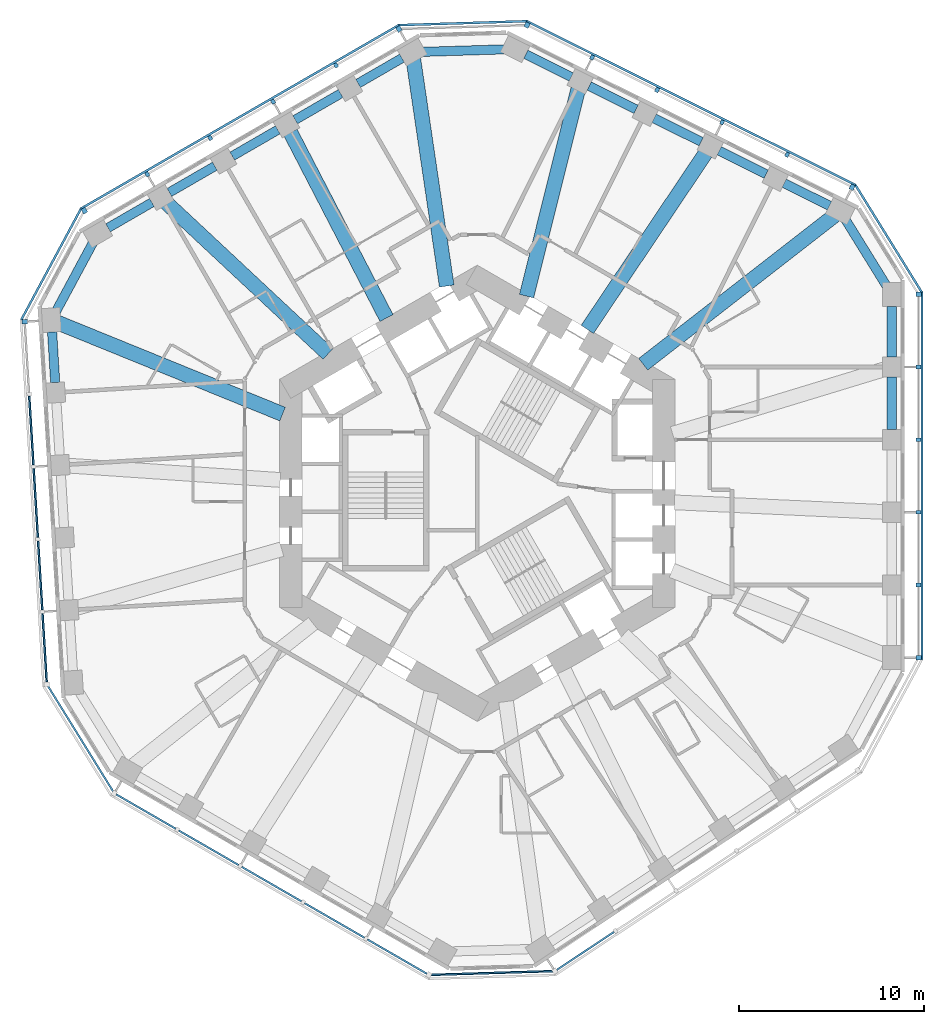
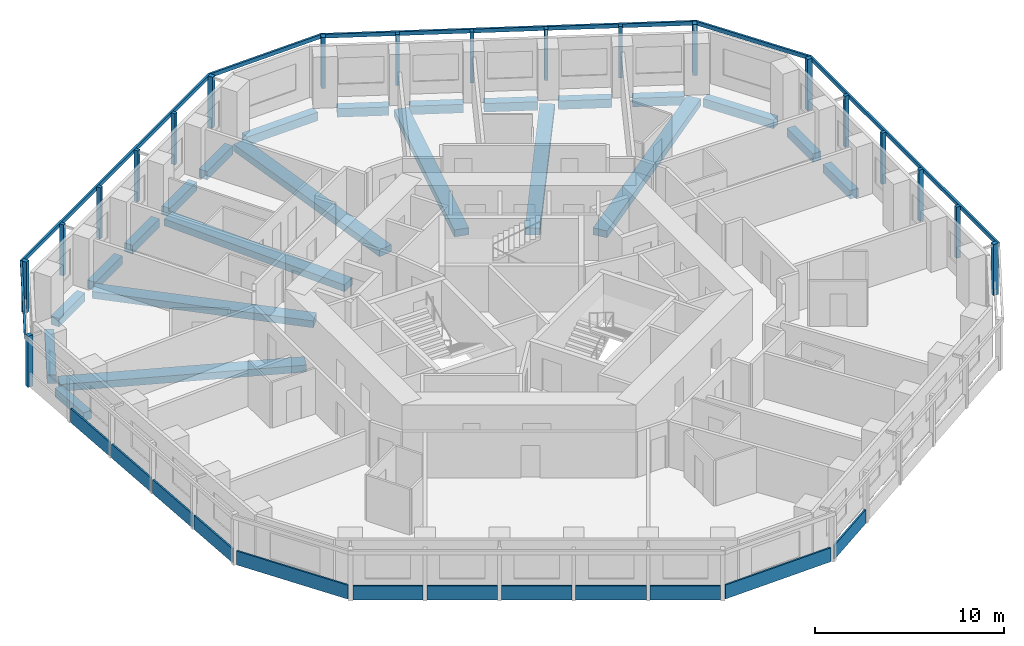
# One storey, part 2 of 12: 25 members, 23 beams, 12 plates, 11 elements without a shape of their own.
"""IFC4 building model written with IfcOpenShell, lengths in metres."""

from ifc_helpers import new_model, si_unit, direction, frame, origin, origin_2d, place, context, subcontext, project, spatial, rectangle, extrude, material, layer, layer_set, material_profile, profile_set, type_object, element, aggregate, save


model = new_model("IFC4")

# Units and contexts
model_context = context("Model", 3, precision=1e-05, world=origin(), true_north=direction((0.0, 1.0)))
body_context = subcontext(model_context, "Body", "Model", "MODEL_VIEW")
ifc_project = project(units=[si_unit("LENGTHUNIT", "METRE"), si_unit("AREAUNIT", "SQUARE_METRE"), si_unit("VOLUMEUNIT", "CUBIC_METRE"), si_unit("PLANEANGLEUNIT", "RADIAN"), si_unit("MASSUNIT", "GRAM", prefix="KILO")], contexts=[model_context])

# Site, building, storey
site_placement = place(None, origin())
site = spatial("IfcSite", under=ifc_project, at=site_placement, CompositionType="ELEMENT")
building_placement = place(site_placement, origin())
building = spatial("IfcBuilding", under=site, at=building_placement, Name="Vanh Sen Convention Tower", CompositionType="ELEMENT")
storey_placement = place(building_placement, frame((0.0, 0.0, 116.60009765625)))
storey = spatial("IfcBuildingStorey", under=building, at=storey_placement, Name="L28", CompositionType="ELEMENT", Elevation=116.60009765625)

# Curtain wall, members
ifc_material_1 = material(Name="Concrete C50/60", Category="concrete")
curtain_wall_type = type_object("IfcCurtainWallType", Name="Outer skin hotel zone", PredefinedType="NOTDEFINED", material=ifc_material_1)
curtain_wall_1_placement = place(storey_placement, origin())
curtain_wall_1 = element("IfcCurtainWall", 1, at=curtain_wall_1_placement, inside=storey, type_object=curtain_wall_type, Name="OUTER SKIN E L28", PredefinedType="NOTDEFINED")
ifc_material_profile_1 = material_profile(ifc_material_1, rectangle(XDim=0.25, YDim=0.300048828125, at=origin_2d()), Name="Outer skin precast corner fin 250 x 300")
ifc_profile_set_1 = profile_set([ifc_material_profile_1], Name="Concrete C50/60")
member_type_1 = type_object("IfcMemberType", Name="Outer skin precast corner fin 250 x 300", PredefinedType="MULLION", material=ifc_profile_set_1)
member_1_placement = place(storey_placement, frame((23.89990234375, -8.899169921875, 0.0), z_axis=(0.0, 0.0, 1.0), x_axis=(0.0, 1.0, 0.0)))
member_1 = element("IfcMember", 2, at=member_1_placement, type_object=member_type_1, Name="OUTER SKIN CORNER FIN 1 E L28", PredefinedType="MULLION", context=body_context, shape_type="SweptSolid", body=[
    extrude(rectangle(XDim=0.25, YDim=0.300048828125, at=origin_2d()), origin(), (0.0, 0.0, 1.0), 3.2998046875),
])
member_2_placement = place(storey_placement, frame((23.89990234375, 10.773681640625, 0.0), z_axis=(0.0, 0.0, 1.0), x_axis=(0.0, 1.0, 0.0)))
member_2 = element("IfcMember", 3, at=member_2_placement, type_object=member_type_1, Name="OUTER SKIN CORNER FIN 6 E L28", PredefinedType="MULLION", context=body_context, shape_type="SweptSolid", body=[
    extrude(rectangle(XDim=0.25, YDim=0.300048828125, at=origin_2d()), origin(), (0.0, 0.0, 1.0), 3.2998046875),
])

curtain_wall_2_placement = place(storey_placement, origin())
curtain_wall_2 = element("IfcCurtainWall", 4, at=curtain_wall_2_placement, inside=storey, type_object=curtain_wall_type, Name="OUTER SKIN NE L28", PredefinedType="NOTDEFINED")
member_3_placement = place(storey_placement, frame((20.305908203125, 16.581787109375, 0.0), z_axis=(0.0, 0.0, 1.0), x_axis=(-0.894934361602, 0.44619781311, 0.0)))
member_3 = element("IfcMember", 5, at=member_3_placement, type_object=member_type_1, Name="OUTER SKIN CORNER FIN 1 NE L28", PredefinedType="MULLION", context=body_context, shape_type="SweptSolid", body=[
    extrude(rectangle(XDim=0.25, YDim=0.300048828125, at=origin_2d()), origin(), (0.0, 0.0, 1.0), 3.2998046875),
])
member_4_placement = place(storey_placement, frame((2.699951171875, 25.35986328125, 0.0), z_axis=(0.0, 0.0, 1.0), x_axis=(-0.894934361602, 0.44619781311, 0.0)))
member_4 = element("IfcMember", 6, at=member_4_placement, type_object=member_type_1, Name="OUTER SKIN CORNER FIN 6 NE L28", PredefinedType="MULLION", context=body_context, shape_type="SweptSolid", body=[
    extrude(rectangle(XDim=0.25, YDim=0.300048828125, at=origin_2d()), origin(), (0.0, 0.0, 1.0), 3.2998046875),
])

curtain_wall_3_placement = place(storey_placement, origin())
curtain_wall_3 = element("IfcCurtainWall", 7, at=curtain_wall_3_placement, inside=storey, type_object=curtain_wall_type, Name="OUTER SKIN NW L28", PredefinedType="NOTDEFINED")
member_5_placement = place(storey_placement, frame((-4.242919921875, 25.147705078125, 0.0), z_axis=(0.0, 0.0, 1.0), x_axis=(-0.866025403784, -0.5, 0.0)))
member_5 = element("IfcMember", 8, at=member_5_placement, type_object=member_type_1, Name="OUTER SKIN CORNER FIN 1 NW L28", PredefinedType="MULLION", context=body_context, shape_type="SweptSolid", body=[
    extrude(rectangle(XDim=0.25, YDim=0.300048828125, at=origin_2d()), origin(), (0.0, 0.0, 1.0), 3.2998046875),
])
member_6_placement = place(storey_placement, frame((-21.2802734375, 15.31103515625, 0.0), z_axis=(0.0, 0.0, 1.0), x_axis=(-0.866025403784, -0.5, 0.0)))
member_6 = element("IfcMember", 9, at=member_6_placement, type_object=member_type_1, Name="OUTER SKIN CORNER FIN 6 NW L28", PredefinedType="MULLION", context=body_context, shape_type="SweptSolid", body=[
    extrude(rectangle(XDim=0.25, YDim=0.300048828125, at=origin_2d()), origin(), (0.0, 0.0, 1.0), 3.2998046875),
])

# Curtain wall, member
curtain_wall_4_placement = place(storey_placement, origin())
curtain_wall_4 = element("IfcCurtainWall", 10, at=curtain_wall_4_placement, inside=storey, type_object=curtain_wall_type, Name="OUTER SKIN W L28", PredefinedType="NOTDEFINED")
member_7_placement = place(storey_placement, frame((-24.51318359375, 9.294677734375, 0.0), z_axis=(0.0, 0.0, 1.0), x_axis=(0.061048539535, -0.998134798422, 0.0)))
member_7 = element("IfcMember", 11, at=member_7_placement, type_object=member_type_1, Name="OUTER SKIN CORNER FIN 1 W L28", PredefinedType="MULLION", context=body_context, shape_type="SweptSolid", body=[
    extrude(rectangle(XDim=0.25, YDim=0.300048828125, at=origin_2d()), origin(), (0.0, 0.0, 1.0), 3.2998046875),
])

# Member
ifc_material_profile_2 = material_profile(ifc_material_1, rectangle(XDim=0.199951171875, YDim=0.25, at=origin_2d()), Name="Outer skin precast fin 200 x 250")
ifc_profile_set_2 = profile_set([ifc_material_profile_2], Name="Concrete C50/60")
member_type_2 = type_object("IfcMemberType", Name="Outer skin precast fin 200 x 250", PredefinedType="MULLION", material=ifc_profile_set_2)
member_8_placement = place(storey_placement, frame((23.89990234375, -4.964599609375, 0.0), z_axis=(0.0, 0.0, 1.0), x_axis=(0.0, 1.0, 0.0)))
member_8 = element("IfcMember", 12, at=member_8_placement, type_object=member_type_2, Name="OUTER SKIN fin 2 E L28", PredefinedType="MULLION", context=body_context, shape_type="SweptSolid", body=[
    extrude(rectangle(XDim=0.199951171875, YDim=0.25, at=origin_2d()), origin(), (0.0, 0.0, 1.0), 3.2998046875),
])

member_9_placement = place(storey_placement, frame((23.89990234375, -1.030029296875, 0.0), z_axis=(0.0, 0.0, 1.0), x_axis=(0.0, 1.0, 0.0)))
member_9 = element("IfcMember", 13, at=member_9_placement, type_object=member_type_2, Name="OUTER SKIN fin 3 E L28", PredefinedType="MULLION", context=body_context, shape_type="SweptSolid", body=[
    extrude(rectangle(XDim=0.199951171875, YDim=0.25, at=origin_2d()), origin(), (0.0, 0.0, 1.0), 3.2998046875),
])

member_10_placement = place(storey_placement, frame((23.89990234375, 2.904541015625, 0.0), z_axis=(0.0, 0.0, 1.0), x_axis=(0.0, 1.0, 0.0)))
member_10 = element("IfcMember", 14, at=member_10_placement, type_object=member_type_2, Name="OUTER SKIN fin 4 E L28", PredefinedType="MULLION", context=body_context, shape_type="SweptSolid", body=[
    extrude(rectangle(XDim=0.199951171875, YDim=0.25, at=origin_2d()), origin(), (0.0, 0.0, 1.0), 3.2998046875),
])

member_11_placement = place(storey_placement, frame((23.89990234375, 6.839111328125, 0.0), z_axis=(0.0, 0.0, 1.0), x_axis=(0.0, 1.0, 0.0)))
member_11 = element("IfcMember", 15, at=member_11_placement, type_object=member_type_2, Name="OUTER SKIN fin 5 E L28", PredefinedType="MULLION", context=body_context, shape_type="SweptSolid", body=[
    extrude(rectangle(XDim=0.199951171875, YDim=0.25, at=origin_2d()), origin(), (0.0, 0.0, 1.0), 3.2998046875),
])

member_12_placement = place(storey_placement, frame((16.78466796875, 18.33740234375, 0.0), z_axis=(0.0, 0.0, 1.0), x_axis=(-0.894934361602, 0.44619781311, 0.0)))
member_12 = element("IfcMember", 16, at=member_12_placement, type_object=member_type_2, Name="OUTER SKIN fin 2 NE L28", PredefinedType="MULLION", context=body_context, shape_type="SweptSolid", body=[
    extrude(rectangle(XDim=0.199951171875, YDim=0.25, at=origin_2d()), origin(), (0.0, 0.0, 1.0), 3.2998046875),
])

member_13_placement = place(storey_placement, frame((13.263427734375, 20.093017578125, 0.0), z_axis=(0.0, 0.0, 1.0), x_axis=(-0.894934361602, 0.44619781311, 0.0)))
member_13 = element("IfcMember", 17, at=member_13_placement, type_object=member_type_2, Name="OUTER SKIN fin 3 NE L28", PredefinedType="MULLION", context=body_context, shape_type="SweptSolid", body=[
    extrude(rectangle(XDim=0.199951171875, YDim=0.25, at=origin_2d()), origin(), (0.0, 0.0, 1.0), 3.2998046875),
])

member_14_placement = place(storey_placement, frame((9.7421875, 21.8486328125, 0.0), z_axis=(0.0, 0.0, 1.0), x_axis=(-0.894934361602, 0.44619781311, 0.0)))
member_14 = element("IfcMember", 18, at=member_14_placement, type_object=member_type_2, Name="OUTER SKIN fin 4 NE L28", PredefinedType="MULLION", context=body_context, shape_type="SweptSolid", body=[
    extrude(rectangle(XDim=0.199951171875, YDim=0.25, at=origin_2d()), origin(), (0.0, 0.0, 1.0), 3.2998046875),
])

member_15_placement = place(storey_placement, frame((6.22119140625, 23.604248046875, 0.0), z_axis=(0.0, 0.0, 1.0), x_axis=(-0.894934361602, 0.44619781311, 0.0)))
member_15 = element("IfcMember", 19, at=member_15_placement, type_object=member_type_2, Name="OUTER SKIN fin 5 NE L28", PredefinedType="MULLION", context=body_context, shape_type="SweptSolid", body=[
    extrude(rectangle(XDim=0.199951171875, YDim=0.25, at=origin_2d()), origin(), (0.0, 0.0, 1.0), 3.2998046875),
])

member_16_placement = place(storey_placement, frame((-7.650390625, 23.180419921875, 0.0), z_axis=(0.0, 0.0, 1.0), x_axis=(-0.866025403784, -0.5, 0.0)))
member_16 = element("IfcMember", 20, at=member_16_placement, type_object=member_type_2, Name="OUTER SKIN fin 2 NW L28", PredefinedType="MULLION", context=body_context, shape_type="SweptSolid", body=[
    extrude(rectangle(XDim=0.199951171875, YDim=0.25, at=origin_2d()), origin(), (0.0, 0.0, 1.0), 3.2998046875),
])

member_17_placement = place(storey_placement, frame((-11.057861328125, 21.212890625, 0.0), z_axis=(0.0, 0.0, 1.0), x_axis=(-0.866025403784, -0.5, 0.0)))
member_17 = element("IfcMember", 21, at=member_17_placement, type_object=member_type_2, Name="OUTER SKIN fin 3 NW L28", PredefinedType="MULLION", context=body_context, shape_type="SweptSolid", body=[
    extrude(rectangle(XDim=0.199951171875, YDim=0.25, at=origin_2d()), origin(), (0.0, 0.0, 1.0), 3.2998046875),
])

member_18_placement = place(storey_placement, frame((-14.46533203125, 19.24560546875, 0.0), z_axis=(0.0, 0.0, 1.0), x_axis=(-0.866025403784, -0.5, 0.0)))
member_18 = element("IfcMember", 22, at=member_18_placement, type_object=member_type_2, Name="OUTER SKIN fin 4 NW L28", PredefinedType="MULLION", context=body_context, shape_type="SweptSolid", body=[
    extrude(rectangle(XDim=0.199951171875, YDim=0.25, at=origin_2d()), origin(), (0.0, 0.0, 1.0), 3.2998046875),
])

member_19_placement = place(storey_placement, frame((-17.872802734375, 17.2783203125, 0.0), z_axis=(0.0, 0.0, 1.0), x_axis=(-0.866025403784, -0.5, 0.0)))
member_19 = element("IfcMember", 23, at=member_19_placement, type_object=member_type_2, Name="OUTER SKIN fin 5 NW L28", PredefinedType="MULLION", context=body_context, shape_type="SweptSolid", body=[
    extrude(rectangle(XDim=0.199951171875, YDim=0.25, at=origin_2d()), origin(), (0.0, 0.0, 1.0), 3.2998046875),
])

ifc_material_profile_3 = material_profile(ifc_material_1, rectangle(XDim=0.1201171875, YDim=0.25, at=origin_2d()), Name="Outer skin precast spandrel band 250 x 120")
ifc_profile_set_3 = profile_set([ifc_material_profile_3], Name="Concrete C50/60")
member_type_3 = type_object("IfcMemberType", Name="Outer skin precast spandrel band 250 x 120", PredefinedType="USERDEFINED", material=ifc_profile_set_3)
member_20_placement = place(storey_placement, frame((24.0849609375, -9.024169921875, 3.1748046875), z_axis=(0.0, 1.0, 0.0), x_axis=(-1.0, 0.0, 0.0)))
member_20 = element("IfcMember", 24, at=member_20_placement, type_object=member_type_3, Name="OUTER SKIN spandrel band E L28", ObjectType="TRANSOM", PredefinedType="USERDEFINED", context=body_context, shape_type="SweptSolid", body=[
    extrude(rectangle(XDim=0.1201171875, YDim=0.25, at=origin_2d()), origin(), (0.0, 0.0, 1.0), 19.9228515625),
])

aggregate(curtain_wall_1, [member_1, member_8, member_9, member_10, member_11, member_2, member_20])

# Curtain wall, member
curtain_wall_5_placement = place(storey_placement, origin())
curtain_wall_5 = element("IfcCurtainWall", 25, at=curtain_wall_5_placement, inside=storey, type_object=curtain_wall_type, Name="OUTER SKIN CH1 L28", PredefinedType="NOTDEFINED")
member_21_placement = place(storey_placement, frame((24.07861328125, 10.88427734375, 3.1748046875), z_axis=(-0.526195864379, 0.850363400148, 0.0), x_axis=(-0.850363400148, -0.526195864379, 0.0)))
member_21 = element("IfcMember", 26, at=member_21_placement, type_object=member_type_3, Name="OUTER SKIN spandrel band CH1 L28", ObjectType="TRANSOM", PredefinedType="USERDEFINED", context=body_context, shape_type="SweptSolid", body=[
    extrude(rectangle(XDim=0.1201171875, YDim=0.25, at=origin_2d()), origin(), (0.0, 0.0, 1.0), 6.830078125),
])
aggregate(curtain_wall_5, [member_21])

# Member
member_22_placement = place(storey_placement, frame((20.500244140625, 16.69140625, 3.1748046875), z_axis=(-0.894931498167, 0.446203556227, 0.0), x_axis=(-0.446203556227, -0.894931498167, 0.0)))
member_22 = element("IfcMember", 27, at=member_22_placement, type_object=member_type_3, Name="OUTER SKIN spandrel band NE L28", ObjectType="TRANSOM", PredefinedType="USERDEFINED", context=body_context, shape_type="SweptSolid", body=[
    extrude(rectangle(XDim=0.1201171875, YDim=0.25, at=origin_2d()), origin(), (0.0, 0.0, 1.0), 19.9228515625),
])

aggregate(curtain_wall_2, [member_3, member_12, member_13, member_14, member_15, member_4, member_22])

# Curtain wall, member
curtain_wall_6_placement = place(storey_placement, origin())
curtain_wall_6 = element("IfcCurtainWall", 28, at=curtain_wall_6_placement, inside=storey, type_object=curtain_wall_type, Name="OUTER SKIN CH2 L28", PredefinedType="NOTDEFINED")
member_23_placement = place(storey_placement, frame((2.693603515625, 25.569580078125, 3.1748046875), z_axis=(-0.999533472857, -0.030542374483, 0.0), x_axis=(0.030542374483, -0.999533472857, 0.0)))
member_23 = element("IfcMember", 29, at=member_23_placement, type_object=member_type_3, Name="OUTER SKIN spandrel band CH2 L28", ObjectType="TRANSOM", PredefinedType="USERDEFINED", context=body_context, shape_type="SweptSolid", body=[
    extrude(rectangle(XDim=0.1201171875, YDim=0.25, at=origin_2d()), origin(), (0.0, 0.0, 1.0), 6.9462890625),
])
aggregate(curtain_wall_6, [member_23])

# Member
member_24_placement = place(storey_placement, frame((-4.227294921875, 25.370361328125, 3.1748046875), z_axis=(-0.866028047459, -0.499995420993, 0.0), x_axis=(0.499995420993, -0.866028047459, 0.0)))
member_24 = element("IfcMember", 30, at=member_24_placement, type_object=member_type_3, Name="OUTER SKIN spandrel band NW L28", ObjectType="TRANSOM", PredefinedType="USERDEFINED", context=body_context, shape_type="SweptSolid", body=[
    extrude(rectangle(XDim=0.1201171875, YDim=0.25, at=origin_2d()), origin(), (0.0, 0.0, 1.0), 19.923095703125),
])

aggregate(curtain_wall_3, [member_5, member_16, member_17, member_18, member_19, member_6, member_24])

# Curtain wall, member
curtain_wall_7_placement = place(storey_placement, origin())
curtain_wall_7 = element("IfcCurtainWall", 31, at=curtain_wall_7_placement, inside=storey, type_object=curtain_wall_type, Name="OUTER SKIN CH3 L28", PredefinedType="NOTDEFINED")
member_25_placement = place(storey_placement, frame((-21.46533203125, 15.410400390625, 3.1748046875), z_axis=(-0.473315186561, -0.880893145717, 0.0), x_axis=(0.880893145717, -0.473315186561, 0.0)))
member_25 = element("IfcMember", 32, at=member_25_placement, type_object=member_type_3, Name="OUTER SKIN spandrel band CH3 L28", ObjectType="TRANSOM", PredefinedType="USERDEFINED", context=body_context, shape_type="SweptSolid", body=[
    extrude(rectangle(XDim=0.1201171875, YDim=0.25, at=origin_2d()), origin(), (0.0, 0.0, 1.0), 6.829833984375),
])
aggregate(curtain_wall_7, [member_25])

# Beams
ifc_material_2 = material(Name="Concrete C50/60", Category="concrete")
ifc_material_profile_4 = material_profile(ifc_material_2, rectangle(XDim=0.800048828125, YDim=0.449951171875, at=origin_2d()), Name="RC 800X450")
ifc_profile_set_4 = profile_set([ifc_material_profile_4], Name="Concrete C50/60")
beam_type_1 = type_object("IfcBeamType", Name="Radial floor beam 800 x 450", PredefinedType="BEAM", material=ifc_profile_set_4)
beam_1_placement = place(storey_placement, frame((19.376708984375, 15.064697265625, -0.47509765625), z_axis=(-0.789479064473, -0.613777489616, 0.0), x_axis=(0.613777489616, -0.789479064473, 0.0)))
element("IfcBeam", 33, at=beam_1_placement, inside=storey, type_object=beam_type_1, Name="Radial beam 04 L28", PredefinedType="BEAM", context=body_context, shape_type="SweptSolid", body=[
    extrude(rectangle(XDim=0.800048828125, YDim=0.449951171875, at=origin_2d()), origin(), (0.0, 0.0, 1.0), 13.16015625),
])
beam_2_placement = place(storey_placement, frame((12.3671875, 18.423828125, -0.47509765625), z_axis=(-0.557338631, -0.830285282536, 0.0), x_axis=(0.830285282536, -0.557338631, 0.0)))
element("IfcBeam", 34, at=beam_2_placement, inside=storey, type_object=beam_type_1, Name="Radial beam 05 L28", PredefinedType="BEAM", context=body_context, shape_type="SweptSolid", body=[
    extrude(rectangle(XDim=0.800048828125, YDim=0.449951171875, at=origin_2d()), origin(), (0.0, 0.0, 1.0), 11.497314453125),
])
beam_3_placement = place(storey_placement, frame((5.47265625, 21.900390625, -0.47509765625), z_axis=(-0.242436270236, -0.97016733344, 0.0), x_axis=(0.97016733344, -0.242436270236, 0.0)))
element("IfcBeam", 35, at=beam_3_placement, inside=storey, type_object=beam_type_1, Name="Radial beam 06 L28", PredefinedType="BEAM", context=body_context, shape_type="SweptSolid", body=[
    extrude(rectangle(XDim=0.800048828125, YDim=0.449951171875, at=origin_2d()), origin(), (0.0, 0.0, 1.0), 11.563720703125),
])
beam_4_placement = place(storey_placement, frame((-3.46337890625, 23.521484375, -0.47509765625), z_axis=(0.145674386683, -0.989332589711, 0.0), x_axis=(0.989332589711, 0.145674386683, 0.0)))
element("IfcBeam", 36, at=beam_4_placement, inside=storey, type_object=beam_type_1, Name="Radial beam 07 L28", PredefinedType="BEAM", context=body_context, shape_type="SweptSolid", body=[
    extrude(rectangle(XDim=0.800048828125, YDim=0.449951171875, at=origin_2d()), origin(), (0.0, 0.0, 1.0), 12.4287109375),
])
beam_5_placement = place(storey_placement, frame((-10.113525390625, 19.53369140625, -0.47509765625), z_axis=(0.459777032111, -0.888034391644, 0.0), x_axis=(0.888034391644, 0.459777032111, 0.0)))
element("IfcBeam", 37, at=beam_5_placement, inside=storey, type_object=beam_type_1, Name="Radial beam 08 L28", PredefinedType="BEAM", context=body_context, shape_type="SweptSolid", body=[
    extrude(rectangle(XDim=0.800048828125, YDim=0.449951171875, at=origin_2d()), origin(), (0.0, 0.0, 1.0), 11.30859375),
])
beam_6_placement = place(storey_placement, frame((-16.858642578125, 15.75244140625, -0.47509765625), z_axis=(0.730678761729, -0.6827214272, 0.0), x_axis=(0.6827214272, 0.730678761729, 0.0)))
element("IfcBeam", 38, at=beam_6_placement, inside=storey, type_object=beam_type_1, Name="Radial beam 09 L28", PredefinedType="BEAM", context=body_context, shape_type="SweptSolid", body=[
    extrude(rectangle(XDim=0.800048828125, YDim=0.449951171875, at=origin_2d()), origin(), (0.0, 0.0, 1.0), 12.01416015625),
])
beam_7_placement = place(storey_placement, frame((-22.734619140625, 9.248291015625, -0.47509765625), z_axis=(0.926292218259, -0.376805953236, 0.0), x_axis=(0.376805953236, 0.926292218259, 0.0)))
element("IfcBeam", 39, at=beam_7_placement, inside=storey, type_object=beam_type_1, Name="Radial beam 10 L28", PredefinedType="BEAM", context=body_context, shape_type="SweptSolid", body=[
    extrude(rectangle(XDim=0.800048828125, YDim=0.449951171875, at=origin_2d()), origin(), (0.0, 0.0, 1.0), 13.159912109375),
])
ifc_material_profile_5 = material_profile(ifc_material_2, rectangle(XDim=0.5, YDim=0.550048828125, at=origin_2d()), Name="RC 500X550")
ifc_profile_set_5 = profile_set([ifc_material_profile_5], Name="Concrete C50/60")
beam_type_2 = type_object("IfcBeamType", Name="Spandrel beam 500 x 550", PredefinedType="SPANDREL", material=ifc_profile_set_5)
beam_8_placement = place(storey_placement, frame((22.449951171875, 3.449462890625, -0.525146484375), z_axis=(0.0, 1.0, 0.0), x_axis=(-1.0, 0.0, 0.0)))
element("IfcBeam", 40, at=beam_8_placement, inside=storey, type_object=beam_type_2, Name="Spandrel beam 04 L28", PredefinedType="SPANDREL", context=body_context, shape_type="SweptSolid", body=[
    extrude(rectangle(XDim=0.5, YDim=0.550048828125, at=origin_2d()), origin(), (0.0, 0.0, 1.0), 2.8447265625),
])
beam_9_placement = place(storey_placement, frame((22.449951171875, 7.384033203125, -0.525146484375), z_axis=(0.0, 1.0, 0.0), x_axis=(-1.0, 0.0, 0.0)))
element("IfcBeam", 41, at=beam_9_placement, inside=storey, type_object=beam_type_2, Name="Spandrel beam 05 L28", PredefinedType="SPANDREL", context=body_context, shape_type="SweptSolid", body=[
    extrude(rectangle(XDim=0.5, YDim=0.550048828125, at=origin_2d()), origin(), (0.0, 0.0, 1.0), 2.74462890625),
])
beam_10_placement = place(storey_placement, frame((22.165283203125, 11.23388671875, -0.525146484375), z_axis=(-0.526225208879, 0.850345241381, 0.0), x_axis=(-0.850345241381, -0.526225208879, 0.0)))
element("IfcBeam", 42, at=beam_10_placement, inside=storey, type_object=beam_type_2, Name="Spandrel beam 06 L28", PredefinedType="SPANDREL", context=body_context, shape_type="SweptSolid", body=[
    extrude(rectangle(XDim=0.5, YDim=0.550048828125, at=origin_2d()), origin(), (0.0, 0.0, 1.0), 4.221923828125),
])
beam_11_placement = place(storey_placement, frame((19.081787109375, 15.572021484375, -0.525146484375), z_axis=(-0.894978032936, 0.446110211229, 0.0), x_axis=(-0.446110211229, -0.894978032936, 0.0)))
element("IfcBeam", 43, at=beam_11_placement, inside=storey, type_object=beam_type_2, Name="Spandrel beam 07 L28", PredefinedType="SPANDREL", context=body_context, shape_type="SweptSolid", body=[
    extrude(rectangle(XDim=0.5, YDim=0.550048828125, at=origin_2d()), origin(), (0.0, 0.0, 1.0), 2.74462890625),
])
beam_12_placement = place(storey_placement, frame((15.64990234375, 17.282958984375, -0.525146484375), z_axis=(-0.894958709308, 0.44614897583, 0.0), x_axis=(-0.44614897583, -0.894958709308, 0.0)))
element("IfcBeam", 44, at=beam_12_placement, inside=storey, type_object=beam_type_2, Name="Spandrel beam 08 L28", PredefinedType="SPANDREL", context=body_context, shape_type="SweptSolid", body=[
    extrude(rectangle(XDim=0.5, YDim=0.550048828125, at=origin_2d()), origin(), (0.0, 0.0, 1.0), 2.844482421875),
])
for number, where, z_axis, x_axis, name in (
    (45, (12.12890625, 19.03857421875, -0.525146484375), (-0.894975791885, 0.446114707155, 0.0), (-0.446114707155, -0.894975791885, 0.0), "Spandrel beam 09 L28"),
    (46, (8.607666015625, 20.794189453125, -0.525146484375), (-0.894975791885, 0.446114707155, 0.0), (-0.446114707155, -0.894975791885, 0.0), "Spandrel beam 10 L28"),
):
    element("IfcBeam", number, at=place(storey_placement, frame(where, z_axis=z_axis, x_axis=x_axis)), inside=storey, type_object=beam_type_2, Name=name, PredefinedType="SPANDREL", context=body_context, shape_type="SweptSolid", body=[
        extrude(rectangle(XDim=0.5, YDim=0.550048828125, at=origin_2d()), origin(), (0.0, 0.0, 1.0), 2.8447265625),
    ])
beam_13_placement = place(storey_placement, frame((5.08642578125, 22.5498046875, -0.525146484375), z_axis=(-0.894942515368, 0.44618145881, 0.0), x_axis=(-0.44618145881, -0.894942515368, 0.0)))
element("IfcBeam", 47, at=beam_13_placement, inside=storey, type_object=beam_type_2, Name="Spandrel beam 11 L28", PredefinedType="SPANDREL", context=body_context, shape_type="SweptSolid", body=[
    extrude(rectangle(XDim=0.5, YDim=0.550048828125, at=origin_2d()), origin(), (0.0, 0.0, 1.0), 2.74462890625),
])
beam_14_placement = place(storey_placement, frame((1.467041015625, 24.044189453125, -0.525146484375), z_axis=(-0.999534488219, -0.030509127505, 0.0), x_axis=(0.030509127505, -0.999534488219, 0.0)))
element("IfcBeam", 48, at=beam_14_placement, inside=storey, type_object=beam_type_2, Name="Spandrel beam 12 L28", PredefinedType="SPANDREL", context=body_context, shape_type="SweptSolid", body=[
    extrude(rectangle(XDim=0.5, YDim=0.550048828125, at=origin_2d()), origin(), (0.0, 0.0, 1.0), 4.401123046875),
])
beam_15_placement = place(storey_placement, frame((-4.07666015625, 23.5693359375, -0.525146484375), z_axis=(-0.866028570666, -0.499994514761, 0.0), x_axis=(0.499994514761, -0.866028570666, 0.0)))
element("IfcBeam", 49, at=beam_15_placement, inside=storey, type_object=beam_type_2, Name="Spandrel beam 13 L28", PredefinedType="SPANDREL", context=body_context, shape_type="SweptSolid", body=[
    extrude(rectangle(XDim=0.5, YDim=0.550048828125, at=origin_2d()), origin(), (0.0, 0.0, 1.0), 2.74462890625),
])
for number, where, z_axis, x_axis, name in (
    (50, (-7.3974609375, 21.652099609375, -0.525146484375), (-0.866005490874, -0.500034488586, 0.0), (0.500034488586, -0.866005490874, 0.0), "Spandrel beam 14 L28"),
    (51, (-10.804931640625, 19.684814453125, -0.525146484375), (-0.866005490874, -0.500034488586, 0.0), (0.500034488586, -0.866005490874, 0.0), "Spandrel beam 15 L28"),
    (52, (-14.21240234375, 17.717529296875, -0.525146484375), (-0.866005490874, -0.500034488586, 0.0), (0.500034488586, -0.866005490874, 0.0), "Spandrel beam 16 L28"),
):
    element("IfcBeam", number, at=place(storey_placement, frame(where, z_axis=z_axis, x_axis=x_axis)), inside=storey, type_object=beam_type_2, Name=name, PredefinedType="SPANDREL", context=body_context, shape_type="SweptSolid", body=[
        extrude(rectangle(XDim=0.5, YDim=0.550048828125, at=origin_2d()), origin(), (0.0, 0.0, 1.0), 2.844482421875),
    ])
beam_16_placement = place(storey_placement, frame((-17.619873046875, 15.750244140625, -0.525146484375), z_axis=(-0.866006330792, -0.500033033937, 0.0), x_axis=(0.500033033937, -0.866006330792, 0.0)))
element("IfcBeam", 53, at=beam_16_placement, inside=storey, type_object=beam_type_2, Name="Spandrel beam 17 L28", PredefinedType="SPANDREL", context=body_context, shape_type="SweptSolid", body=[
    extrude(rectangle(XDim=0.5, YDim=0.550048828125, at=origin_2d()), origin(), (0.0, 0.0, 1.0), 2.744384765625),
])
beam_17_placement = place(storey_placement, frame((-20.811279296875, 13.57861328125, -0.525146484375), z_axis=(-0.473344400705, -0.880877447958, 0.0), x_axis=(0.880877447958, -0.473344400705, 0.0)))
element("IfcBeam", 54, at=beam_17_placement, inside=storey, type_object=beam_type_2, Name="Spandrel beam 18 L28", PredefinedType="SPANDREL", context=body_context, shape_type="SweptSolid", body=[
    extrude(rectangle(XDim=0.5, YDim=0.550048828125, at=origin_2d()), origin(), (0.0, 0.0, 1.0), 4.2216796875),
])
beam_18_placement = place(storey_placement, frame((-23.0263671875, 8.7392578125, -0.525146484375), z_axis=(0.061021442686, -0.998136455367, 0.0), x_axis=(0.998136455367, 0.061021442686, 0.0)))
element("IfcBeam", 55, at=beam_18_placement, inside=storey, type_object=beam_type_2, Name="Spandrel beam 19 L28", PredefinedType="SPANDREL", context=body_context, shape_type="SweptSolid", body=[
    extrude(rectangle(XDim=0.5, YDim=0.550048828125, at=origin_2d()), origin(), (0.0, 0.0, 1.0), 2.74462890625),
])

# Plate
ifc_layer = layer(ifc_material_1, 0.10009765625)
ifc_layer_set = layer_set([ifc_layer], Name="Concrete C50/60")
plate_type = type_object("IfcPlateType", Name="Outer skin precast screen panel 100", PredefinedType="CURTAIN_PANEL", material=ifc_layer_set)
plate_1_placement = place(storey_placement, frame((-24.15283203125, 3.40380859375, 0.0), z_axis=(0.0, 0.0, 1.0), x_axis=(0.061048539535, -0.998134798422, 0.0)))
plate_1 = element("IfcPlate", 56, at=plate_1_placement, type_object=plate_type, Name="OUTER SKIN screen panel W-2", PredefinedType="CURTAIN_PANEL", context=body_context, shape_type="SweptSolid", body=[
    extrude(rectangle(XDim=3.734619140625, YDim=0.10009765625, at=origin_2d()), origin(), (0.0, 0.0, 1.0), 0.89990234375),
])

plate_2_placement = place(storey_placement, frame((-23.91259765625, -0.523681640625, 0.0), z_axis=(0.0, 0.0, 1.0), x_axis=(0.061046797461, -0.99813490497, 0.0)))
plate_2 = element("IfcPlate", 57, at=plate_2_placement, type_object=plate_type, Name="OUTER SKIN screen panel W-3", PredefinedType="CURTAIN_PANEL", context=body_context, shape_type="SweptSolid", body=[
    extrude(rectangle(XDim=3.734619140625, YDim=0.10009765625, at=origin_2d()), origin(), (0.0, 0.0, 1.0), 0.89990234375),
])

plate_3_placement = place(storey_placement, frame((-23.67236328125, -4.45068359375, 0.0), z_axis=(0.0, 0.0, 1.0), x_axis=(0.061048539535, -0.998134798422, 0.0)))
plate_3 = element("IfcPlate", 58, at=plate_3_placement, type_object=plate_type, Name="OUTER SKIN screen panel W-4", PredefinedType="CURTAIN_PANEL", context=body_context, shape_type="SweptSolid", body=[
    extrude(rectangle(XDim=3.734619140625, YDim=0.10009765625, at=origin_2d()), origin(), (0.0, 0.0, 1.0), 0.89990234375),
])

plate_4_placement = place(storey_placement, frame((-23.43310546875, -8.365478515625, 0.0), z_axis=(0.0, 0.0, 1.0), x_axis=(0.061046797461, -0.99813490497, 0.0)))
plate_4 = element("IfcPlate", 59, at=plate_4_placement, type_object=plate_type, Name="OUTER SKIN screen panel W-5", PredefinedType="CURTAIN_PANEL", context=body_context, shape_type="SweptSolid", body=[
    extrude(rectangle(XDim=3.709716796875, YDim=0.10009765625, at=origin_2d()), origin(), (0.0, 0.0, 1.0), 0.89990234375),
])

aggregate(curtain_wall_4, [member_7, plate_1, plate_2, plate_3, plate_4])

# Curtain wall, plate
curtain_wall_8_placement = place(storey_placement, origin())
curtain_wall_8 = element("IfcCurtainWall", 60, at=curtain_wall_8_placement, inside=storey, type_object=curtain_wall_type, Name="OUTER SKIN CH4 L28", PredefinedType="NOTDEFINED")
plate_5_placement = place(storey_placement, frame((-21.484619140625, -13.295166015625, 0.0), z_axis=(0.0, 0.0, 1.0), x_axis=(0.526205018755, -0.850357735448, 0.0)))
plate_5 = element("IfcPlate", 61, at=plate_5_placement, type_object=plate_type, Name="OUTER SKIN screen panel CH4-1", PredefinedType="CURTAIN_PANEL", context=body_context, shape_type="SweptSolid", body=[
    extrude(rectangle(XDim=6.6962890625, YDim=0.10009765625, at=origin_2d()), origin(), (0.0, 0.0, 1.0), 0.89990234375),
])
aggregate(curtain_wall_8, [plate_5])

# Curtain wall, plates
curtain_wall_9_placement = place(storey_placement, origin())
curtain_wall_9 = element("IfcCurtainWall", 62, at=curtain_wall_9_placement, inside=storey, type_object=curtain_wall_type, Name="OUTER SKIN SW L28", PredefinedType="NOTDEFINED")
plate_6_placement = place(storey_placement, frame((-17.9423828125, -17.23828125, 0.0), z_axis=(0.0, 0.0, 1.0), x_axis=(0.866028021766, -0.499995465495, 0.0)))
plate_6 = element("IfcPlate", 63, at=plate_6_placement, type_object=plate_type, Name="OUTER SKIN screen panel SW-1", PredefinedType="CURTAIN_PANEL", context=body_context, shape_type="SweptSolid", body=[
    extrude(rectangle(XDim=3.709716796875, YDim=0.10009765625, at=origin_2d()), origin(), (0.0, 0.0, 1.0), 0.89990234375),
])
plate_7_placement = place(storey_placement, frame((-14.5458984375, -19.19921875, 0.0), z_axis=(0.0, 0.0, 1.0), x_axis=(0.866032385017, -0.499987907955, 0.0)))
plate_7 = element("IfcPlate", 64, at=plate_7_placement, type_object=plate_type, Name="OUTER SKIN screen panel SW-2", PredefinedType="CURTAIN_PANEL", context=body_context, shape_type="SweptSolid", body=[
    extrude(rectangle(XDim=3.734619140625, YDim=0.10009765625, at=origin_2d()), origin(), (0.0, 0.0, 1.0), 0.89990234375),
])
plate_8_placement = place(storey_placement, frame((-11.138427734375, -21.16650390625, 0.0), z_axis=(0.0, 0.0, 1.0), x_axis=(0.866028021766, -0.499995465495, 0.0)))
plate_8 = element("IfcPlate", 65, at=plate_8_placement, type_object=plate_type, Name="OUTER SKIN screen panel SW-3", PredefinedType="CURTAIN_PANEL", context=body_context, shape_type="SweptSolid", body=[
    extrude(rectangle(XDim=3.734619140625, YDim=0.10009765625, at=origin_2d()), origin(), (0.0, 0.0, 1.0), 0.89990234375),
])
plate_9_placement = place(storey_placement, frame((-7.73095703125, -23.1337890625, 0.0), z_axis=(0.0, 0.0, 1.0), x_axis=(0.866028021766, -0.499995465495, 0.0)))
plate_9 = element("IfcPlate", 66, at=plate_9_placement, type_object=plate_type, Name="OUTER SKIN screen panel SW-4", PredefinedType="CURTAIN_PANEL", context=body_context, shape_type="SweptSolid", body=[
    extrude(rectangle(XDim=3.734619140625, YDim=0.10009765625, at=origin_2d()), origin(), (0.0, 0.0, 1.0), 0.89990234375),
])
plate_10_placement = place(storey_placement, frame((-4.334228515625, -25.094970703125, 0.0), z_axis=(0.0, 0.0, 1.0), x_axis=(0.866021040428, -0.500007557478, 0.0)))
plate_10 = element("IfcPlate", 67, at=plate_10_placement, type_object=plate_type, Name="OUTER SKIN screen panel SW-5", PredefinedType="CURTAIN_PANEL", context=body_context, shape_type="SweptSolid", body=[
    extrude(rectangle(XDim=3.70947265625, YDim=0.10009765625, at=origin_2d()), origin(), (0.0, 0.0, 1.0), 0.89990234375),
])
aggregate(curtain_wall_9, [plate_6, plate_7, plate_8, plate_9, plate_10])

# Curtain wall, plate
curtain_wall_10_placement = place(storey_placement, origin())
curtain_wall_10 = element("IfcCurtainWall", 68, at=curtain_wall_10_placement, inside=storey, type_object=curtain_wall_type, Name="OUTER SKIN CH5 L28", PredefinedType="NOTDEFINED")
plate_11_placement = place(storey_placement, frame((0.793701171875, -25.98046875, 0.0), z_axis=(0.0, 0.0, 1.0), x_axis=(0.999533484231, 0.03054200224, 0.0)))
plate_11 = element("IfcPlate", 69, at=plate_11_placement, type_object=plate_type, Name="OUTER SKIN screen panel CH5-1", PredefinedType="CURTAIN_PANEL", context=body_context, shape_type="SweptSolid", body=[
    extrude(rectangle(XDim=6.580078125, YDim=0.10009765625, at=origin_2d()), origin(), (0.0, 0.0, 1.0), 0.89990234375),
])
aggregate(curtain_wall_10, [plate_11])

curtain_wall_11_placement = place(storey_placement, origin())
curtain_wall_11 = element("IfcCurtainWall", 70, at=curtain_wall_11_placement, inside=storey, type_object=curtain_wall_type, Name="OUTER SKIN SE L28", PredefinedType="NOTDEFINED")
plate_12_placement = place(storey_placement, frame((5.858154296875, -24.783447265625, 0.0), z_axis=(0.0, 0.0, 1.0), x_axis=(0.833891601892, 0.55192825285, 0.0)))
plate_12 = element("IfcPlate", 71, at=plate_12_placement, type_object=plate_type, Name="OUTER SKIN screen panel SE-1", PredefinedType="CURTAIN_PANEL", context=body_context, shape_type="SweptSolid", body=[
    extrude(rectangle(XDim=3.709716796875, YDim=0.10009765625, at=origin_2d()), origin(), (0.0, 0.0, 1.0), 0.89990234375),
])
aggregate(curtain_wall_11, [plate_12])

save(model, "model.ifc")
